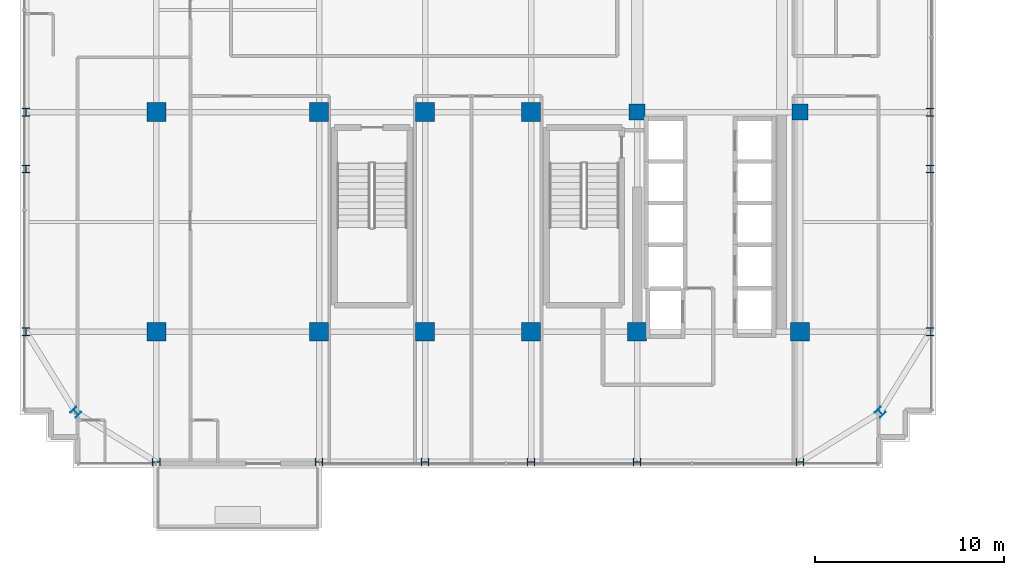
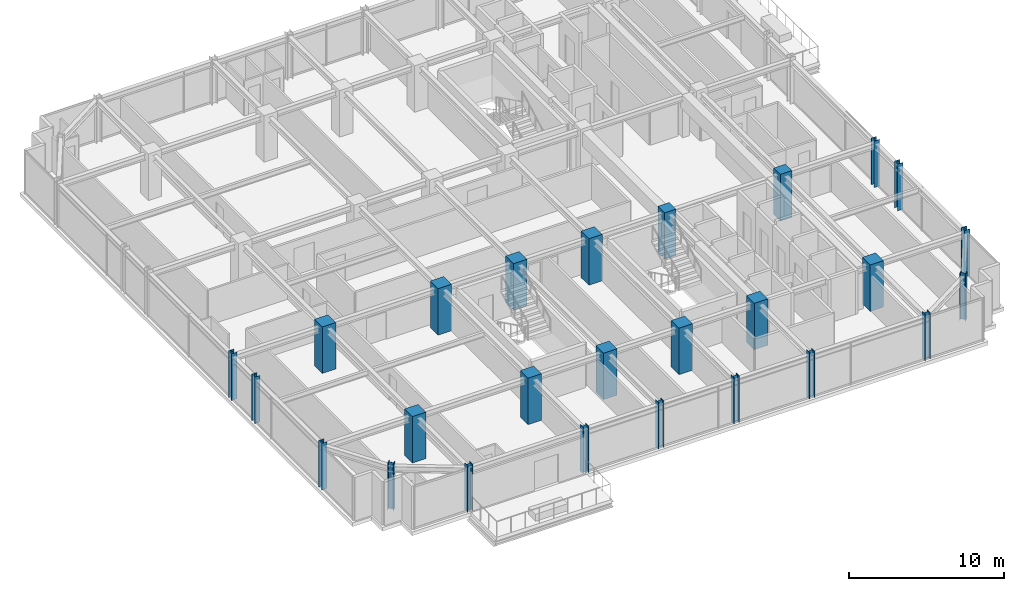
# One storey, part 1 of 34: 26 columns.
"""IFC4 building model written with IfcOpenShell, lengths in metres."""

from ifc_helpers import new_model, si_unit, direction, frame, origin, origin_2d, place, context, subcontext, project, spatial, rectangle, i_section, extrude, source, transform, mapped, material, material_profile, profile_set, type_object, element, save


model = new_model("IFC4")

# Units and contexts
model_context = context("Model", 3, precision=1e-05, world=origin(), true_north=direction((0.0, 1.0)))
body_context = subcontext(model_context, "Body", "Model", "MODEL_VIEW")
ifc_project = project(units=[si_unit("LENGTHUNIT", "METRE"), si_unit("AREAUNIT", "SQUARE_METRE"), si_unit("VOLUMEUNIT", "CUBIC_METRE"), si_unit("PLANEANGLEUNIT", "RADIAN"), si_unit("MASSUNIT", "GRAM", prefix="KILO")], contexts=[model_context])

# Site, building, storey
site_placement = place(None, origin())
site = spatial("IfcSite", under=ifc_project, at=site_placement, CompositionType="ELEMENT")
building_placement = place(site_placement, origin())
building = spatial("IfcBuilding", under=site, at=building_placement, Name="Nahalor Promenade Grand Hotel", CompositionType="ELEMENT")
storey_placement = place(building_placement, frame((0.0, 0.0, 238.199951171875)))
storey = spatial("IfcBuildingStorey", under=building, at=storey_placement, Name="L61", CompositionType="ELEMENT", Elevation=238.199951171875)

# Columns
ifc_material_1 = material(Name="Concrete B-60 (C50/60)", Category="concrete")
ifc_material_profile_1 = material_profile(ifc_material_1, rectangle(XDim=1.0, YDim=1.0, at=origin_2d()), Name="RC 1000x1000")
ifc_profile_set_1 = profile_set([ifc_material_profile_1], Name="Concrete B-60 (C50/60)")
column_type_1 = type_object("IfcColumnType", Name="Col-RC-1000", PredefinedType="COLUMN", material=ifc_profile_set_1)
shared_shape_1 = source(origin(), body_context, "Body", "SweptSolid", [
    extrude(rectangle(XDim=1.0, YDim=1.0, at=origin_2d()), origin(), (0.0, 0.0, 1.0), 3.655029296875),
])
for number, where, z_axis, x_axis, name in (
    (1, (-17.0, -17.0, 0.0), (0.0, 0.0, 1.0), (1.0, 0.0, 0.0), "COL-L61-I00"),
    (2, (-17.0, -5.39990234375, 0.0), (0.0, 0.0, 1.0), (1.0, 0.0, 0.0), "COL-L61-I01"),
    (3, (-8.39990234375, -17.0, 0.0), (0.0, 0.0, 1.0), (1.0, 0.0, 0.0), "COL-L61-I10"),
    (4, (-8.39990234375, -5.39990234375, 0.0), (0.0, 0.0, 1.0), (1.0, 0.0, 0.0), "COL-L61-I11"),
    (5, (-2.800048828125, -17.0, 0.0), (0.0, 0.0, 1.0), (1.0, 0.0, 0.0), "COL-L61-I20"),
    (6, (-2.800048828125, -5.39990234375, 0.0), (0.0, 0.0, 1.0), (1.0, 0.0, 0.0), "COL-L61-I21"),
    (7, (2.800048828125, -17.0, 0.0), (0.0, 0.0, 1.0), (1.0, 0.0, 0.0), "COL-L61-I30"),
    (8, (2.800048828125, -5.39990234375, 0.0), (0.0, 0.0, 1.0), (1.0, 0.0, 0.0), "COL-L61-I31"),
    (9, (8.39990234375, -17.0, 0.0), (0.0, 0.0, 1.0), (1.0, 0.0, 0.0), "COL-L61-I40"),
    (10, (17.0, -17.0, 0.0), (0.0, 0.0, 1.0), (1.0, 0.0, 0.0), "COL-L61-I50"),
):
    element("IfcColumn", number, at=place(storey_placement, frame(where, z_axis=z_axis, x_axis=x_axis)), inside=storey, type_object=column_type_1, Name=name, PredefinedType="COLUMN", context=body_context, shape_type="MappedRepresentation", body=[
        mapped(shared_shape_1, transform((0.0, 0.0, 0.0), scale=1.0)),
    ])
ifc_material_2 = material(Name="Concrete B-70 (C60/75)", Category="concrete")
ifc_material_profile_2 = material_profile(ifc_material_2, rectangle(XDim=0.85, YDim=0.85, at=origin_2d()), Name="RC 850x850")
ifc_profile_set_2 = profile_set([ifc_material_profile_2], Name="Concrete B-70 (C60/75)")
column_type_2 = type_object("IfcColumnType", Name="Col-Pilaster-850", PredefinedType="PILASTER", material=ifc_profile_set_2)
shared_shape_2 = source(origin(), body_context, "Body", "SweptSolid", [
    extrude(rectangle(XDim=0.85, YDim=0.85, at=origin_2d()), origin(), (0.0, 0.0, 1.0), 3.655029296875),
])
for number, where, z_axis, x_axis, name in (
    (11, (8.39990234375, -5.39990234375, 0.0), (0.0, 0.0, 1.0), (1.0, 0.0, 0.0), "COL-L61-I41"),
    (12, (17.0, -5.39990234375, 0.0), (0.0, 0.0, 1.0), (1.0, 0.0, 0.0), "COL-L61-I51"),
):
    element("IfcColumn", number, at=place(storey_placement, frame(where, z_axis=z_axis, x_axis=x_axis)), inside=storey, type_object=column_type_2, Name=name, PredefinedType="PILASTER", context=body_context, shape_type="MappedRepresentation", body=[
        mapped(shared_shape_2, transform((0.0, 0.0, 0.0), scale=1.0)),
    ])
ifc_material_3 = material(Name="Steel S355JR", Category="steel")
ifc_material_profile_3 = material_profile(ifc_material_3, i_section(OverallWidth=0.401, OverallDepth=0.406, WebThickness=0.0161, FlangeThickness=0.025, at=origin_2d()), Name="HD 400x314")
ifc_profile_set_3 = profile_set([ifc_material_profile_3], Name="Steel S355JR")
column_type_3 = type_object("IfcColumnType", Name="Col-Steel-HD314", PredefinedType="COLUMN", material=ifc_profile_set_3)
shared_shape_3 = source(origin(), body_context, "Body", "SweptSolid", [
    extrude(i_section(OverallWidth=0.401, OverallDepth=0.406, WebThickness=0.0161, FlangeThickness=0.025, at=origin_2d()), origin(), (0.0, 0.0, 1.0), 3.655029296875),
])
for number, where, z_axis, x_axis, name in (
    (13, (-23.8798828125, -17.0, 0.0), (0.0, 0.0, 1.0), (1.0, 0.0, 0.0), "COL-L61-PW-W0"),
    (14, (23.8798828125, -17.0, 0.0), (0.0, 0.0, 1.0), (1.0, 0.0, 0.0), "COL-L61-PW-E0"),
    (15, (-23.8798828125, -8.39990234375, 0.0), (0.0, 0.0, 1.0), (1.0, 0.0, 0.0), "COL-L61-PW-W1"),
    (16, (23.8798828125, -8.39990234375, 0.0), (0.0, 0.0, 1.0), (1.0, 0.0, 0.0), "COL-L61-PW-E1"),
    (17, (-23.8798828125, -5.39990234375, 0.0), (0.0, 0.0, 1.0), (1.0, 0.0, 0.0), "COL-L61-PW-W2"),
    (18, (23.8798828125, -5.39990234375, 0.0), (0.0, 0.0, 1.0), (1.0, 0.0, 0.0), "COL-L61-PW-E2"),
    (19, (-17.0, -23.8798828125, 0.0), (0.0, 0.0, 1.0), (0.0, 1.0, 0.0), "COL-L61-PN-S0"),
    (20, (-8.39990234375, -23.8798828125, 0.0), (0.0, 0.0, 1.0), (0.0, 1.0, 0.0), "COL-L61-PN-S1"),
    (21, (-2.800048828125, -23.8798828125, 0.0), (0.0, 0.0, 1.0), (0.0, 1.0, 0.0), "COL-L61-PN-S2"),
    (22, (2.800048828125, -23.8798828125, 0.0), (0.0, 0.0, 1.0), (0.0, 1.0, 0.0), "COL-L61-PN-S3"),
    (23, (8.39990234375, -23.8798828125, 0.0), (0.0, 0.0, 1.0), (0.0, 1.0, 0.0), "COL-L61-PN-S4"),
    (24, (17.0, -23.8798828125, 0.0), (0.0, 0.0, 1.0), (0.0, 1.0, 0.0), "COL-L61-PN-S5"),
    (25, (-21.25, -21.25, 0.0), (0.0, 0.0, 1.0), (0.707106781187, 0.707106781187, 0.0), "COL-L61-CRN-SW"),
    (26, (21.25, -21.25, 0.0), (0.0, 0.0, 1.0), (0.707106781187, 0.707106781187, 0.0), "COL-L61-CRN-SE"),
):
    element("IfcColumn", number, at=place(storey_placement, frame(where, z_axis=z_axis, x_axis=x_axis)), inside=storey, type_object=column_type_3, Name=name, PredefinedType="COLUMN", context=body_context, shape_type="MappedRepresentation", body=[
        mapped(shared_shape_3, transform((0.0, 0.0, 0.0), scale=1.0)),
    ])

save(model, "model.ifc")
